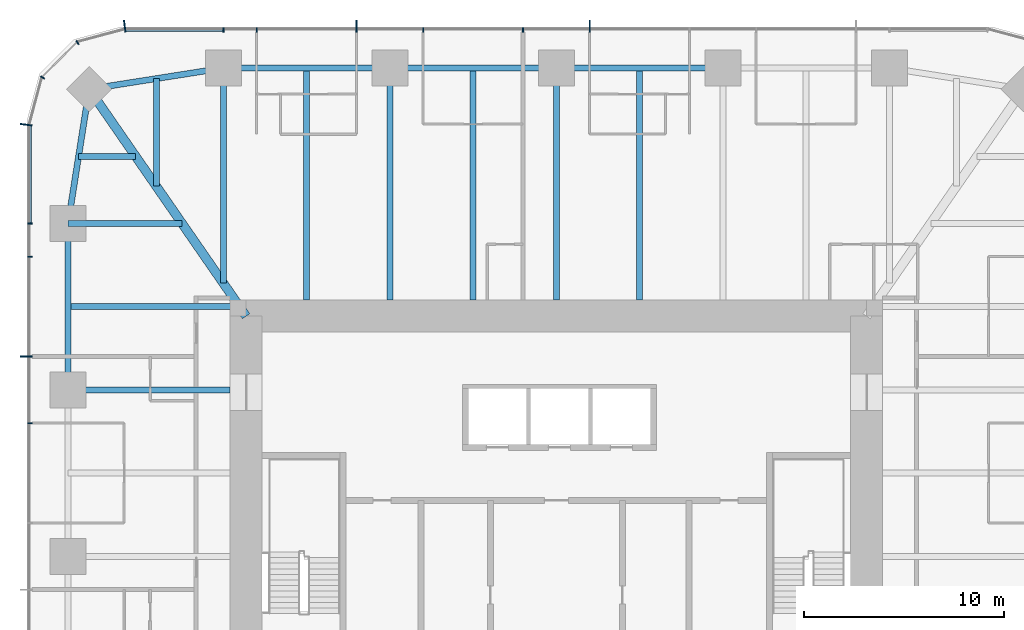
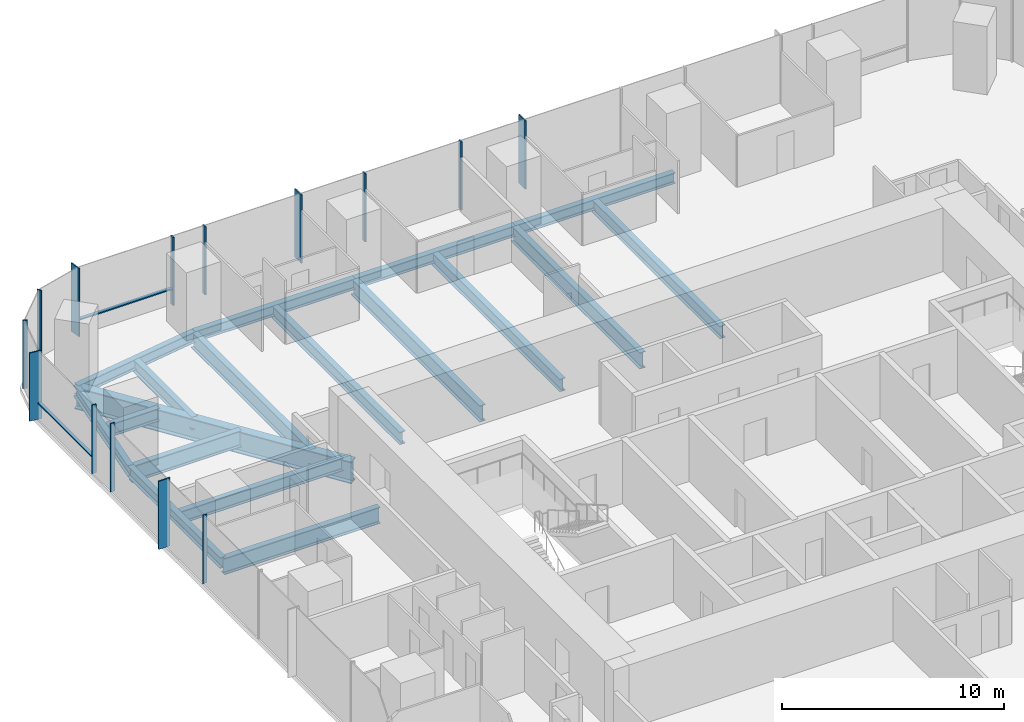
# One storey, part 5 of 12: 18 beams, 16 members, 3 elements without a shape of their own.
"""IFC4 building model written with IfcOpenShell, lengths in metres."""

import ifcopenshell
import ifcopenshell.guid

model = None  # the IFC model being written
_history = None  # IfcOwnerHistory: only IFC2X3 demands one
_inside = {}  # id of a spatial element -> (the spatial element, [elements in it])
_under = {}  # id of a project, library or spatial element -> (it, [spatial elements below it])
_declared = {}  # id of a project -> (the project, [libraries it declares])
_typed = {}  # id of a type object -> (the type object, [elements of that type])
_made_of = {}  # id of a material, layer set ... -> (it, [elements and type objects made of it])


def new_model(schema):
    """Start an empty IFC model of exactly this schema.

    Asked for "IFC4X3", IfcOpenShell would pick the latest addendum, in which some entities
    have other attributes; the version numbers below select the first issue.
    IFC2X3 requires an IfcOwnerHistory on every rooted entity: one is made here for all.
    """
    global model, _history
    if schema == "IFC4X3":
        model = ifcopenshell.file(schema_version=(4, 3, 0, 0))
    else:
        model = ifcopenshell.file(schema=schema)
    _inside.clear()
    _under.clear()
    _declared.clear()
    _typed.clear()
    _made_of.clear()
    _history = None
    if model.schema == "IFC2X3":
        org = make("IfcOrganization", Name="unknown")
        user = make(
            "IfcPersonAndOrganization",
            ThePerson=make("IfcPerson", FamilyName="unknown"),
            TheOrganization=org,
        )
        app = make(
            "IfcApplication",
            ApplicationDeveloper=org,
            Version="unknown",
            ApplicationFullName="unknown",
            ApplicationIdentifier="unknown",
        )
        _history = make(
            "IfcOwnerHistory",
            OwningUser=user,
            OwningApplication=app,
            ChangeAction="ADDED",
            CreationDate=0,
        )
    return model


def make(cls, **values):
    """One entity of the class cls with the attributes given. An attribute that is None is left unset."""
    return model.create_entity(
        cls, **{name: value for name, value in values.items() if value is not None}
    )


def rooted(cls, **values):
    """An entity with a GlobalId (a new one), such as an element, a storey or a relation."""
    return make(cls, GlobalId=ifcopenshell.guid.new(), OwnerHistory=_history, **values)


def si_unit(unit_type, name, prefix=None):
    """IfcSIUnit, for example si_unit("LENGTHUNIT", "METRE", prefix="MILLI")."""
    return make("IfcSIUnit", UnitType=unit_type, Prefix=prefix, Name=name)


def assignment(units):
    """IfcUnitAssignment: the units of a project."""
    return None if units is None else make("IfcUnitAssignment", Units=units)


def point(xyz):
    """IfcCartesianPoint."""
    return None if xyz is None else make("IfcCartesianPoint", Coordinates=xyz)


def direction(xyz):
    """IfcDirection."""
    return None if xyz is None else make("IfcDirection", DirectionRatios=xyz)


def frame(location, z_axis=None, x_axis=None):
    """IfcAxis2Placement3D, a coordinate frame: its origin and axes. An axis left out is left unset."""
    return make(
        "IfcAxis2Placement3D",
        Location=point(location),
        Axis=direction(z_axis),
        RefDirection=direction(x_axis),
    )


def frame_2d(location, x_axis=None):
    """IfcAxis2Placement2D, a coordinate frame in the plane: its origin and x axis."""
    return make(
        "IfcAxis2Placement2D", Location=point(location), RefDirection=direction(x_axis)
    )


def origin():
    """The frame at (0, 0, 0) with its axes left unset."""
    return frame((0.0, 0.0, 0.0))


def origin_2d():
    """The frame at (0, 0) in the plane with its x axis left unset."""
    return frame_2d((0.0, 0.0))


def place(relative_to, where):
    """IfcLocalPlacement: puts the frame where relative to a parent placement (None: the world)."""
    return make(
        "IfcLocalPlacement", PlacementRelTo=relative_to, RelativePlacement=where
    )


def context(
    kind, dimensions, precision=None, world=None, true_north=None, identifier=None
):
    """IfcGeometricRepresentationContext, for example the 3D "Model" context."""
    return make(
        "IfcGeometricRepresentationContext",
        ContextIdentifier=identifier,
        ContextType=kind,
        CoordinateSpaceDimension=dimensions,
        Precision=precision,
        WorldCoordinateSystem=world,
        TrueNorth=true_north,
    )


def subcontext(parent, identifier, kind, view, scale=None):
    """IfcGeometricRepresentationSubContext, for example "Body" below "Model"."""
    return make(
        "IfcGeometricRepresentationSubContext",
        ContextIdentifier=identifier,
        ContextType=kind,
        ParentContext=parent,
        TargetScale=scale,
        TargetView=view,
    )


def project(units=None, contexts=None):
    """IfcProject with its units and contexts."""
    return rooted(
        "IfcProject",
        Name="project",
        RepresentationContexts=contexts,
        UnitsInContext=assignment(units),
    )


def spatial(cls, under=None, at=None, **own):
    """A site, building, storey or space (cls), placed at a placement, below another one or the project."""
    s = rooted(cls, ObjectPlacement=at, **own)
    if under is not None:
        _under.setdefault(under.id(), (under, []))[1].append(s)
    return s


def profile(cls, at=None, kind="AREA", **sizes):
    """A parametric profile (cls). Its sizes go by their IFC names, for example OverallWidth=200.0."""
    return make(cls, ProfileType=kind, Position=at, **sizes)


def rectangle(**sizes):
    """IfcRectangleProfileDef."""
    return profile("IfcRectangleProfileDef", **sizes)


def i_section(**sizes):
    """IfcIShapeProfileDef."""
    return profile("IfcIShapeProfileDef", **sizes)


def extrude(swept, where, along, depth):
    """IfcExtrudedAreaSolid: the profile swept, set in the frame where, extruded along a direction by depth."""
    return make(
        "IfcExtrudedAreaSolid",
        SweptArea=swept,
        Position=where,
        ExtrudedDirection=direction(along),
        Depth=depth,
    )


def shape(context_of_items, identifier, shape_type, items):
    """IfcShapeRepresentation: the items that make up one representation, for example the "Body"."""
    return make(
        "IfcShapeRepresentation",
        ContextOfItems=context_of_items,
        RepresentationIdentifier=identifier,
        RepresentationType=shape_type,
        Items=items,
    )


def material(Name=None, Category=None):
    """IfcMaterial."""
    return make("IfcMaterial", Name=Name, Category=Category)


def material_profile(
    of_material, cross_section, Name=None, Category=None, Priority=None
):
    """IfcMaterialProfile: a cross section and its material."""
    return make(
        "IfcMaterialProfile",
        Name=Name,
        Material=of_material,
        Profile=cross_section,
        Priority=Priority,
        Category=Category,
    )


def profile_set(profiles, Name=None, composite=None):
    """IfcMaterialProfileSet."""
    return make(
        "IfcMaterialProfileSet",
        Name=Name,
        MaterialProfiles=profiles,
        CompositeProfile=composite,
    )


def made_of(thing, what):
    """Note that an element or type object is made of a material, layer set ...; save() writes the relation."""
    if what is not None:
        _made_of.setdefault(what.id(), (what, []))[1].append(thing)
    return thing


def type_object(cls, material=None, **own):
    """A type object (cls), such as IfcWallType, which elements share."""
    return made_of(rooted(cls, **own), material)


def element(
    cls,
    number,
    at=None,
    inside=None,
    cuts=None,
    type_object=None,
    material=None,
    context=None,
    identifier="Body",
    shape_type=None,
    held_by="IfcProductDefinitionShape",
    body=None,
    shapes=None,
    **own,
):
    """One element of the class cls, such as IfcWall. Its Tag is "e" and its number.

    at: its placement. inside: the storey or other place that contains it. cuts: it is an
    opening in that element (IfcRelVoidsElement). A single representation is given by context,
    identifier, shape_type and body (its items); several are given by shapes. held_by: the class
    of the entity that holds the representations. save() writes the other relations.
    """
    e = rooted(cls, Tag="e%d" % number, ObjectPlacement=at, **own)
    if body is not None:
        shapes = [shape(context, identifier, shape_type, body)]
    if shapes is not None:
        e.Representation = make(held_by, Representations=shapes)
    if inside is not None:
        _inside.setdefault(inside.id(), (inside, []))[1].append(e)
    if cuts is not None:
        rooted(
            "IfcRelVoidsElement", RelatingBuildingElement=cuts, RelatedOpeningElement=e
        )
    if type_object is not None:
        _typed.setdefault(type_object.id(), (type_object, []))[1].append(e)
    return made_of(e, material)


def aggregate(whole, parts):
    """IfcRelAggregates: a whole, such as a stair, and the parts it consists of."""
    return rooted("IfcRelAggregates", RelatingObject=whole, RelatedObjects=parts)


def save(model, path):
    """Write the relations noted so far, then the file.

    IfcRelAggregates (storeys below a building ...), IfcRelContainedInSpatialStructure (elements
    in a storey), IfcRelDefinesByType, IfcRelAssociatesMaterial and IfcRelDeclares: one each for
    every whole, place, type object, material and project.
    """
    for whole, parts in _under.values():
        aggregate(whole, parts)
    for where, things in _inside.values():
        rooted(
            "IfcRelContainedInSpatialStructure",
            RelatedElements=things,
            RelatingStructure=where,
        )
    for kind, things in _typed.values():
        rooted("IfcRelDefinesByType", RelatedObjects=things, RelatingType=kind)
    for what, things in _made_of.values():
        rooted("IfcRelAssociatesMaterial", RelatedObjects=things, RelatingMaterial=what)
    for by, libraries in _declared.values():
        rooted("IfcRelDeclares", RelatingContext=by, RelatedDefinitions=libraries)
    model.write(path)


model = new_model("IFC4")

# Units and contexts
model_context = context("Model", 3, precision=1e-05, world=origin(), true_north=direction((0.0, 1.0)))
body_context = subcontext(model_context, "Body", "Model", "MODEL_VIEW")
ifc_project = project(units=[si_unit("LENGTHUNIT", "METRE"), si_unit("AREAUNIT", "SQUARE_METRE"), si_unit("VOLUMEUNIT", "CUBIC_METRE"), si_unit("PLANEANGLEUNIT", "RADIAN"), si_unit("MASSUNIT", "GRAM", prefix="KILO")], contexts=[model_context])

# Site, building, storey
site_placement = place(None, origin())
site = spatial("IfcSite", under=ifc_project, at=site_placement, CompositionType="ELEMENT")
building_placement = place(site_placement, origin())
building = spatial("IfcBuilding", under=site, at=building_placement, Name="Khuree Lantern Residences", CompositionType="ELEMENT")
storey_placement = place(building_placement, frame((0.0, 0.0, 214.5)))
storey = spatial("IfcBuildingStorey", under=building, at=storey_placement, Name="L53", CompositionType="ELEMENT", Elevation=214.5)

# Beams
ifc_material_1 = material(Name="Steel S355", Category="steel")
ifc_material_profile_1 = material_profile(ifc_material_1, i_section(OverallWidth=0.300048828125, OverallDepth=0.68994140625, WebThickness=0.014404296875, FlangeThickness=0.027099609375, FilletRadius=0.027099609375, at=origin_2d()), Name="HE 700 A")
ifc_profile_set_1 = profile_set([ifc_material_profile_1], Name="Steel S355")
beam_type_1 = type_object("IfcBeamType", Name="B-32 SECONDARY BEAM HE 700 A", PredefinedType="BEAM", material=ifc_profile_set_1)
for number, where, z_axis, x_axis, name in (
    (1, (-12.47998046875, 24.39990234375, -0.594970703125), (0.0, -1.0, 0.0), (1.0, 0.0, 0.0), "Secondary beam N1"),
    (2, (-4.159912109375, 24.39990234375, -0.594970703125), (0.0, -1.0, 0.0), (1.0, 0.0, 0.0), "Secondary beam N2"),
    (3, (4.159912109375, 24.39990234375, -0.594970703125), (0.0, -1.0, 0.0), (1.0, 0.0, 0.0), "Secondary beam N3"),
):
    element("IfcBeam", number, at=place(storey_placement, frame(where, z_axis=z_axis, x_axis=x_axis)), inside=storey, type_object=beam_type_1, Name=name, PredefinedType="BEAM", context=body_context, shape_type="SweptSolid", body=[
        extrude(i_section(OverallWidth=0.300048828125, OverallDepth=0.68994140625, WebThickness=0.014404296875, FlangeThickness=0.027099609375, FilletRadius=0.027099609375, at=origin_2d()), origin(), (0.0, 0.0, 1.0), 11.599853515625),
    ])
beam_1_placement = place(storey_placement, frame((-24.39990234375, 12.47998046875, -0.594970703125), z_axis=(1.0, 0.0, 0.0), x_axis=(0.0, 1.0, 0.0)))
element("IfcBeam", 4, at=beam_1_placement, inside=storey, type_object=beam_type_1, Name="Secondary beam W5", PredefinedType="BEAM", context=body_context, shape_type="SweptSolid", body=[
    extrude(i_section(OverallWidth=0.300048828125, OverallDepth=0.68994140625, WebThickness=0.014404296875, FlangeThickness=0.027099609375, FilletRadius=0.027099609375, at=origin_2d()), origin(), (0.0, 0.0, 1.0), 8.56787109375),
])
beam_2_placement = place(storey_placement, frame((-23.872802734375, 19.992919921875, -0.594970703125), z_axis=(1.0, 0.0, 0.0), x_axis=(0.0, 1.0, 0.0)))
element("IfcBeam", 5, at=beam_2_placement, inside=storey, type_object=beam_type_1, Name="Secondary beam W6", PredefinedType="BEAM", context=body_context, shape_type="SweptSolid", body=[
    extrude(i_section(OverallWidth=0.300048828125, OverallDepth=0.68994140625, WebThickness=0.014404296875, FlangeThickness=0.027099609375, FilletRadius=0.027099609375, at=origin_2d()), origin(), (0.0, 0.0, 1.0), 2.845703125),
])
beam_3_placement = place(storey_placement, frame((-19.992919921875, 23.872802734375, -0.594970703125), z_axis=(0.0, -1.0, 0.0), x_axis=(1.0, 0.0, 0.0)))
element("IfcBeam", 6, at=beam_3_placement, inside=storey, type_object=beam_type_1, Name="Secondary beam N6", PredefinedType="BEAM", context=body_context, shape_type="SweptSolid", body=[
    extrude(i_section(OverallWidth=0.300048828125, OverallDepth=0.68994140625, WebThickness=0.014404296875, FlangeThickness=0.027099609375, FilletRadius=0.027099609375, at=origin_2d()), origin(), (0.0, 0.0, 1.0), 5.375732421875),
])
ifc_material_profile_2 = material_profile(ifc_material_1, i_section(OverallWidth=0.300048828125, OverallDepth=0.590087890625, WebThickness=0.012939453125, FlangeThickness=0.02490234375, FilletRadius=0.027099609375, at=origin_2d()), Name="HE 600 A")
ifc_profile_set_2 = profile_set([ifc_material_profile_2], Name="Steel S355")
beam_type_2 = type_object("IfcBeamType", Name="E-32 SPANDREL BEAM HE 600 A", PredefinedType="SPANDREL", material=ifc_profile_set_2)
beam_4_placement = place(storey_placement, frame((-16.639892578125, 24.39990234375, -0.544921875), z_axis=(1.0, 0.0, 0.0), x_axis=(0.0, 1.0, 0.0)))
element("IfcBeam", 7, at=beam_4_placement, inside=storey, type_object=beam_type_2, Name="Spandrel beam N1", PredefinedType="SPANDREL", context=body_context, shape_type="SweptSolid", body=[
    extrude(i_section(OverallWidth=0.300048828125, OverallDepth=0.590087890625, WebThickness=0.012939453125, FlangeThickness=0.02490234375, FilletRadius=0.027099609375, at=origin_2d()), origin(), (0.0, 0.0, 1.0), 8.31982421875),
])
for number, where, z_axis, x_axis, name in (
    (8, (-8.320068359375, 24.39990234375, -0.544921875), (1.0, 0.0, 0.0), (0.0, 1.0, 0.0), "Spandrel beam N2"),
    (9, (0.0, 24.39990234375, -0.544921875), (1.0, 0.0, 0.0), (0.0, 1.0, 0.0), "Spandrel beam N3"),
):
    element("IfcBeam", number, at=place(storey_placement, frame(where, z_axis=z_axis, x_axis=x_axis)), inside=storey, type_object=beam_type_2, Name=name, PredefinedType="SPANDREL", context=body_context, shape_type="SweptSolid", body=[
        extrude(i_section(OverallWidth=0.300048828125, OverallDepth=0.590087890625, WebThickness=0.012939453125, FlangeThickness=0.02490234375, FilletRadius=0.027099609375, at=origin_2d()), origin(), (0.0, 0.0, 1.0), 8.320068359375),
    ])
beam_5_placement = place(storey_placement, frame((-24.39990234375, 8.320068359375, -0.544921875), z_axis=(0.0, 1.0, 0.0), x_axis=(-1.0, 0.0, 0.0)))
element("IfcBeam", 10, at=beam_5_placement, inside=storey, type_object=beam_type_2, Name="Spandrel beam W5", PredefinedType="SPANDREL", context=body_context, shape_type="SweptSolid", body=[
    extrude(i_section(OverallWidth=0.300048828125, OverallDepth=0.590087890625, WebThickness=0.012939453125, FlangeThickness=0.02490234375, FilletRadius=0.027099609375, at=origin_2d()), origin(), (0.0, 0.0, 1.0), 8.31982421875),
])
for number, where, z_axis, x_axis, name in (
    (11, (-24.39990234375, 16.639892578125, -0.544921875), (0.155299507442, 0.98786743189, 0.0), (-0.98786743189, 0.155299507442, 0.0), "Spandrel beam W6"),
    (12, (-23.345703125, 23.345703125, -0.544921875), (0.98786743189, 0.155299507442, 0.0), (-0.155299507442, 0.98786743189, 0.0), "Spandrel beam N6"),
):
    element("IfcBeam", number, at=place(storey_placement, frame(where, z_axis=z_axis, x_axis=x_axis)), inside=storey, type_object=beam_type_2, Name=name, PredefinedType="SPANDREL", context=body_context, shape_type="SweptSolid", body=[
        extrude(i_section(OverallWidth=0.300048828125, OverallDepth=0.590087890625, WebThickness=0.012939453125, FlangeThickness=0.02490234375, FilletRadius=0.027099609375, at=origin_2d()), origin(), (0.0, 0.0, 1.0), 6.7880859375),
    ])

# Curtain wall, members
ifc_material_2 = material(Name="Bronze anodised aluminium", Category="aluminium")
curtain_wall_type_1 = type_object("IfcCurtainWallType", Name="CW-T1 TOWER FACE CURTAIN WALL", PredefinedType="USERDEFINED", material=ifc_material_2)
curtain_wall_1_placement = place(storey_placement, origin())
curtain_wall_1 = element("IfcCurtainWall", 13, at=curtain_wall_1_placement, inside=storey, type_object=curtain_wall_type_1, Name="L53 NORTH FACE CURTAIN WALL", ObjectType="Stick-built curtain wall", PredefinedType="USERDEFINED")
ifc_material_profile_3 = material_profile(ifc_material_2, rectangle(XDim=0.06494140625, YDim=0.60009765625, at=origin_2d()), Name="F1 65X600")
ifc_profile_set_3 = profile_set([ifc_material_profile_3], Name="Bronze anodised aluminium")
member_type_1 = type_object("IfcMemberType", Name="F1 BRONZE FIN MULLION TOWER 65X600", PredefinedType="MULLION", material=ifc_profile_set_3)
member_1_placement = place(storey_placement, frame((1.6640625, 26.5, 0.0), z_axis=(0.0, 0.0, 1.0), x_axis=(-1.0, 0.0, 0.0)))
member_1 = element("IfcMember", 14, at=member_1_placement, type_object=member_type_1, Name="L53 NORTH FACE FIN MULLION 23", PredefinedType="MULLION", context=body_context, shape_type="SweptSolid", body=[
    extrude(rectangle(XDim=0.06494140625, YDim=0.60009765625, at=origin_2d()), origin(), (0.0, 0.0, 1.0), 3.75),
])
member_2_placement = place(storey_placement, frame((-9.98388671875, 26.5, 0.0), z_axis=(0.0, 0.0, 1.0), x_axis=(-1.0, 0.0, 0.0)))
member_2 = element("IfcMember", 15, at=member_2_placement, type_object=member_type_1, Name="L53 NORTH FACE FIN MULLION 26", PredefinedType="MULLION", context=body_context, shape_type="SweptSolid", body=[
    extrude(rectangle(XDim=0.06494140625, YDim=0.60009765625, at=origin_2d()), origin(), (0.0, 0.0, 1.0), 3.75),
])

# Curtain wall, member
curtain_wall_type_2 = type_object("IfcCurtainWallType", Name="CW-T2 TOWER CORNER CURTAIN WALL", PredefinedType="USERDEFINED", material=ifc_material_2)
curtain_wall_2_placement = place(storey_placement, origin())
curtain_wall_2 = element("IfcCurtainWall", 16, at=curtain_wall_2_placement, inside=storey, type_object=curtain_wall_type_2, Name="L53 NORTH-WEST CORNER CURTAIN WALL", ObjectType="Faceted corner curtain wall", PredefinedType="USERDEFINED")
member_3_placement = place(storey_placement, frame((-21.56982421875, 26.5, 0.0), z_axis=(0.0, 0.0, 1.0), x_axis=(-0.991444862943, -0.130526180298, 0.0)))
member_3 = element("IfcMember", 17, at=member_3_placement, type_object=member_type_1, Name="L53 NORTH-WEST CORNER FIN MULLION 29", PredefinedType="MULLION", context=body_context, shape_type="SweptSolid", body=[
    extrude(rectangle(XDim=0.06494140625, YDim=0.60009765625, at=origin_2d()), origin(), (0.0, 0.0, 1.0), 3.75),
])

# Curtain wall, members
curtain_wall_3_placement = place(storey_placement, origin())
curtain_wall_3 = element("IfcCurtainWall", 18, at=curtain_wall_3_placement, inside=storey, type_object=curtain_wall_type_1, Name="L53 WEST FACE CURTAIN WALL", ObjectType="Stick-built curtain wall", PredefinedType="USERDEFINED")
member_4_placement = place(storey_placement, frame((-26.5, 21.56982421875, 0.0), z_axis=(0.0, 0.0, 1.0), x_axis=(-0.130526180298, -0.991444862943, 0.0)))
member_4 = element("IfcMember", 19, at=member_4_placement, type_object=member_type_1, Name="L53 WEST FACE FIN MULLION 32", PredefinedType="MULLION", context=body_context, shape_type="SweptSolid", body=[
    extrude(rectangle(XDim=0.06494140625, YDim=0.60009765625, at=origin_2d()), origin(), (0.0, 0.0, 1.0), 3.75),
])
member_5_placement = place(storey_placement, frame((-26.5, 9.98388671875, 0.0), z_axis=(0.0, 0.0, 1.0), x_axis=(0.0, -1.0, 0.0)))
member_5 = element("IfcMember", 20, at=member_5_placement, type_object=member_type_1, Name="L53 WEST FACE FIN MULLION 35", PredefinedType="MULLION", context=body_context, shape_type="SweptSolid", body=[
    extrude(rectangle(XDim=0.06494140625, YDim=0.60009765625, at=origin_2d()), origin(), (0.0, 0.0, 1.0), 3.75),
])

# Beams
ifc_material_profile_4 = material_profile(ifc_material_1, i_section(OverallWidth=0.300048828125, OverallDepth=0.89990234375, WebThickness=0.0185546875, FlangeThickness=0.034912109375, FilletRadius=0.030029296875, at=origin_2d()), Name="HE 900 B")
ifc_profile_set_4 = profile_set([ifc_material_profile_4], Name="Steel S355")
beam_type_3 = type_object("IfcBeamType", Name="G-32 GIRDER HE 900 B", PredefinedType="BEAM", material=ifc_profile_set_4)
beam_6_placement = place(storey_placement, frame((-16.639892578125, 24.39990234375, -0.699951171875), z_axis=(0.0, -1.0, 0.0), x_axis=(1.0, 0.0, 0.0)))
element("IfcBeam", 21, at=beam_6_placement, inside=storey, type_object=beam_type_3, Name="Girder N1", PredefinedType="BEAM", context=body_context, shape_type="SweptSolid", body=[
    extrude(i_section(OverallWidth=0.300048828125, OverallDepth=0.89990234375, WebThickness=0.0185546875, FlangeThickness=0.034912109375, FilletRadius=0.030029296875, at=origin_2d()), origin(), (0.0, 0.0, 1.0), 10.751220703125),
])
for number, where, z_axis, x_axis, name in (
    (22, (-8.320068359375, 24.39990234375, -0.699951171875), (0.0, -1.0, 0.0), (1.0, 0.0, 0.0), "Girder N2"),
    (23, (0.0, 24.39990234375, -0.699951171875), (0.0, -1.0, 0.0), (1.0, 0.0, 0.0), "Girder N3"),
):
    element("IfcBeam", number, at=place(storey_placement, frame(where, z_axis=z_axis, x_axis=x_axis)), inside=storey, type_object=beam_type_3, Name=name, PredefinedType="BEAM", context=body_context, shape_type="SweptSolid", body=[
        extrude(i_section(OverallWidth=0.300048828125, OverallDepth=0.89990234375, WebThickness=0.0185546875, FlangeThickness=0.034912109375, FilletRadius=0.030029296875, at=origin_2d()), origin(), (0.0, 0.0, 1.0), 11.599853515625),
    ])
beam_7_placement = place(storey_placement, frame((-24.39990234375, 8.320068359375, -0.699951171875), z_axis=(1.0, 0.0, 0.0), x_axis=(0.0, 1.0, 0.0)))
element("IfcBeam", 24, at=beam_7_placement, inside=storey, type_object=beam_type_3, Name="Girder W4", PredefinedType="BEAM", context=body_context, shape_type="SweptSolid", body=[
    extrude(i_section(OverallWidth=0.300048828125, OverallDepth=0.89990234375, WebThickness=0.0185546875, FlangeThickness=0.034912109375, FilletRadius=0.030029296875, at=origin_2d()), origin(), (0.0, 0.0, 1.0), 8.099853515625),
])
beam_8_placement = place(storey_placement, frame((-24.39990234375, 16.639892578125, -0.699951171875), z_axis=(1.0, 0.0, 0.0), x_axis=(0.0, 1.0, 0.0)))
element("IfcBeam", 25, at=beam_8_placement, inside=storey, type_object=beam_type_3, Name="Girder W5", PredefinedType="BEAM", context=body_context, shape_type="SweptSolid", body=[
    extrude(i_section(OverallWidth=0.300048828125, OverallDepth=0.89990234375, WebThickness=0.0185546875, FlangeThickness=0.034912109375, FilletRadius=0.030029296875, at=origin_2d()), origin(), (0.0, 0.0, 1.0), 5.69140625),
])
ifc_material_profile_5 = material_profile(ifc_material_1, i_section(OverallWidth=0.449951171875, OverallDepth=1.199951171875, WebThickness=0.02490234375, FlangeThickness=0.044921875, at=origin_2d()), Name="WELDED I 1200X450X25X45")
ifc_profile_set_5 = profile_set([ifc_material_profile_5], Name="Steel S355")
beam_type_4 = type_object("IfcBeamType", Name="GD-32 CORNER GIRDER WELDED I 1200X450X25X45", PredefinedType="BEAM", material=ifc_profile_set_5)
beam_9_placement = place(storey_placement, frame((-23.345703125, 23.345703125, -0.85009765625), z_axis=(0.56876813501, -0.822497907959, 0.0), x_axis=(0.822497907959, 0.56876813501, 0.0)))
element("IfcBeam", 26, at=beam_9_placement, inside=storey, type_object=beam_type_4, Name="Corner girder NW", PredefinedType="BEAM", context=body_context, shape_type="SweptSolid", body=[
    extrude(i_section(OverallWidth=0.449951171875, OverallDepth=1.199951171875, WebThickness=0.02490234375, FlangeThickness=0.044921875, at=origin_2d()), origin(), (0.0, 0.0, 1.0), 13.794189453125),
])

# Member
ifc_material_profile_6 = material_profile(ifc_material_2, rectangle(XDim=0.06494140625, YDim=0.219970703125, at=origin_2d()), Name="M1 65X220")
ifc_profile_set_6 = profile_set([ifc_material_profile_6], Name="Bronze anodised aluminium")
member_type_2 = type_object("IfcMemberType", Name="M1 BRONZE MULLION TOWER 65X220", PredefinedType="MULLION", material=ifc_profile_set_6)
member_6_placement = place(storey_placement, frame((-1.6640625, 26.31005859375, 0.0), z_axis=(0.0, 0.0, 1.0), x_axis=(-1.0, 0.0, 0.0)))
member_6 = element("IfcMember", 27, at=member_6_placement, type_object=member_type_2, Name="L53 NORTH FACE MULLION 24", PredefinedType="MULLION", context=body_context, shape_type="SweptSolid", body=[
    extrude(rectangle(XDim=0.06494140625, YDim=0.219970703125, at=origin_2d()), origin(), (0.0, 0.0, 1.0), 3.75),
])

member_7_placement = place(storey_placement, frame((-6.656005859375, 26.31005859375, 0.0), z_axis=(0.0, 0.0, 1.0), x_axis=(-1.0, 0.0, 0.0)))
member_7 = element("IfcMember", 28, at=member_7_placement, type_object=member_type_2, Name="L53 NORTH FACE MULLION 25", PredefinedType="MULLION", context=body_context, shape_type="SweptSolid", body=[
    extrude(rectangle(XDim=0.06494140625, YDim=0.219970703125, at=origin_2d()), origin(), (0.0, 0.0, 1.0), 3.75),
])

member_8_placement = place(storey_placement, frame((-14.97607421875, 26.31005859375, 0.0), z_axis=(0.0, 0.0, 1.0), x_axis=(-1.0, 0.0, 0.0)))
member_8 = element("IfcMember", 29, at=member_8_placement, type_object=member_type_2, Name="L53 NORTH FACE MULLION 27", PredefinedType="MULLION", context=body_context, shape_type="SweptSolid", body=[
    extrude(rectangle(XDim=0.06494140625, YDim=0.219970703125, at=origin_2d()), origin(), (0.0, 0.0, 1.0), 3.75),
])

member_9_placement = place(storey_placement, frame((-16.639892578125, 26.31005859375, 0.0), z_axis=(0.0, 0.0, 1.0), x_axis=(-1.0, 0.0, 0.0)))
member_9 = element("IfcMember", 30, at=member_9_placement, type_object=member_type_2, Name="L53 NORTH FACE MULLION 28", PredefinedType="MULLION", context=body_context, shape_type="SweptSolid", body=[
    extrude(rectangle(XDim=0.06494140625, YDim=0.219970703125, at=origin_2d()), origin(), (0.0, 0.0, 1.0), 3.75),
])

member_10_placement = place(storey_placement, frame((-23.929931640625, 25.67236328125, 0.0), z_axis=(0.0, 0.0, 1.0), x_axis=(-0.866025409797, -0.499999989586, 0.0)))
member_10 = element("IfcMember", 31, at=member_10_placement, type_object=member_type_2, Name="L53 NORTH-WEST CORNER MULLION 30", PredefinedType="MULLION", context=body_context, shape_type="SweptSolid", body=[
    extrude(rectangle(XDim=0.06494140625, YDim=0.219970703125, at=origin_2d()), origin(), (0.0, 0.0, 1.0), 3.75),
])

member_11_placement = place(storey_placement, frame((-25.67236328125, 23.929931640625, 0.0), z_axis=(0.0, 0.0, 1.0), x_axis=(-0.499999989586, -0.866025409797, 0.0)))
member_11 = element("IfcMember", 32, at=member_11_placement, type_object=member_type_2, Name="L53 NORTH-WEST CORNER MULLION 31", PredefinedType="MULLION", context=body_context, shape_type="SweptSolid", body=[
    extrude(rectangle(XDim=0.06494140625, YDim=0.219970703125, at=origin_2d()), origin(), (0.0, 0.0, 1.0), 3.75),
])

aggregate(curtain_wall_2, [member_3, member_10, member_11])

member_12_placement = place(storey_placement, frame((-26.31005859375, 16.639892578125, 0.0), z_axis=(0.0, 0.0, 1.0), x_axis=(0.0, -1.0, 0.0)))
member_12 = element("IfcMember", 33, at=member_12_placement, type_object=member_type_2, Name="L53 WEST FACE MULLION 33", PredefinedType="MULLION", context=body_context, shape_type="SweptSolid", body=[
    extrude(rectangle(XDim=0.06494140625, YDim=0.219970703125, at=origin_2d()), origin(), (0.0, 0.0, 1.0), 3.75),
])

member_13_placement = place(storey_placement, frame((-26.31005859375, 14.97607421875, 0.0), z_axis=(0.0, 0.0, 1.0), x_axis=(0.0, -1.0, 0.0)))
member_13 = element("IfcMember", 34, at=member_13_placement, type_object=member_type_2, Name="L53 WEST FACE MULLION 34", PredefinedType="MULLION", context=body_context, shape_type="SweptSolid", body=[
    extrude(rectangle(XDim=0.06494140625, YDim=0.219970703125, at=origin_2d()), origin(), (0.0, 0.0, 1.0), 3.75),
])

member_14_placement = place(storey_placement, frame((-26.31005859375, 6.656005859375, 0.0), z_axis=(0.0, 0.0, 1.0), x_axis=(0.0, -1.0, 0.0)))
member_14 = element("IfcMember", 35, at=member_14_placement, type_object=member_type_2, Name="L53 WEST FACE MULLION 36", PredefinedType="MULLION", context=body_context, shape_type="SweptSolid", body=[
    extrude(rectangle(XDim=0.06494140625, YDim=0.219970703125, at=origin_2d()), origin(), (0.0, 0.0, 1.0), 3.75),
])

ifc_material_profile_7 = material_profile(ifc_material_2, rectangle(XDim=0.179931640625, YDim=0.06494140625, at=origin_2d()), Name="T1 180X65")
ifc_profile_set_7 = profile_set([ifc_material_profile_7], Name="Bronze anodised aluminium")
member_type_3 = type_object("IfcMemberType", Name="TRANSOM T1 TOWER 180X65", PredefinedType="USERDEFINED", material=ifc_profile_set_7)
member_15_placement = place(storey_placement, frame((-16.672607421875, 26.320068359375, 0.89990234375), z_axis=(-1.0, 0.0, 0.0), x_axis=(0.0, -1.0, 0.0)))
member_15 = element("IfcMember", 36, at=member_15_placement, type_object=member_type_3, Name="L53 NORTH FACE TRANSOM 28.1", ObjectType="Transom", PredefinedType="USERDEFINED", context=body_context, shape_type="SweptSolid", body=[
    extrude(rectangle(XDim=0.179931640625, YDim=0.06494140625, at=origin_2d()), origin(), (0.0, 0.0, 1.0), 4.828857421875),
])

aggregate(curtain_wall_1, [member_1, member_6, member_7, member_2, member_8, member_9, member_15])

member_16_placement = place(storey_placement, frame((-26.320068359375, 21.50146484375, 0.89990234375), z_axis=(0.0, -1.0, 0.0), x_axis=(1.0, 0.0, 0.0)))
member_16 = element("IfcMember", 37, at=member_16_placement, type_object=member_type_3, Name="L53 WEST FACE TRANSOM 32.1", ObjectType="Transom", PredefinedType="USERDEFINED", context=body_context, shape_type="SweptSolid", body=[
    extrude(rectangle(XDim=0.179931640625, YDim=0.06494140625, at=origin_2d()), origin(), (0.0, 0.0, 1.0), 4.828857421875),
])

aggregate(curtain_wall_3, [member_4, member_12, member_13, member_5, member_14, member_16])

save(model, "model.ifc")
